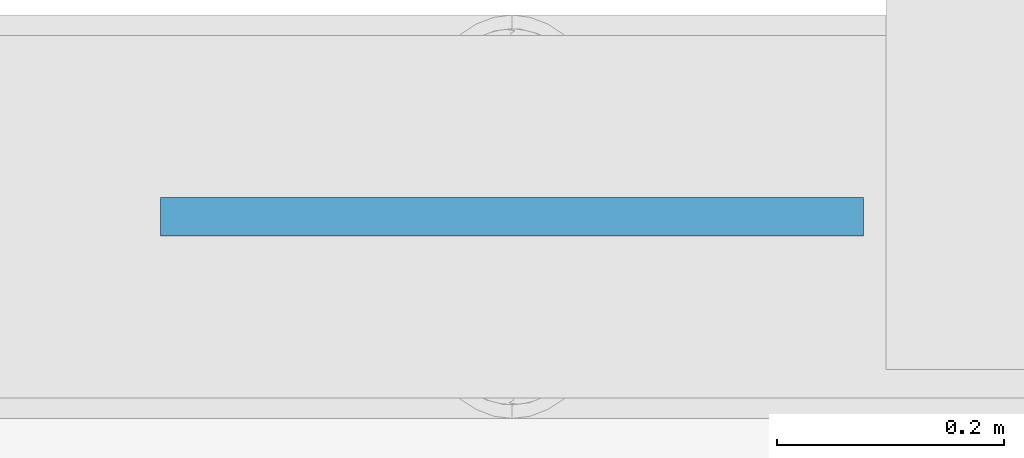
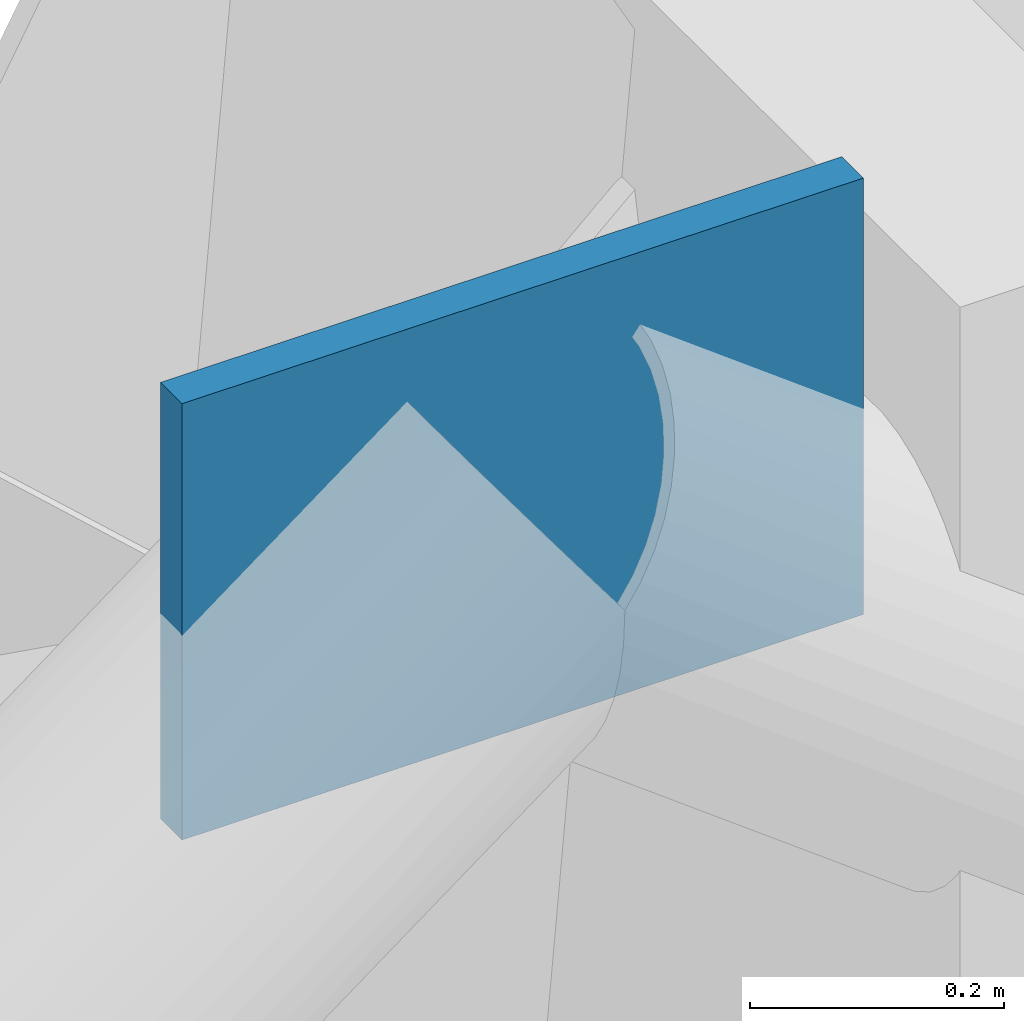
# One storey, part 38 of 83: 1 plate.
"""IFC4 building model written with IfcOpenShell, lengths in metres."""

from ifc_helpers import new_model, si_unit, derived_unit, direction, frame, origin, origin_2d, place, context, subcontext, project, spatial, rectangle, extrude, material, layer, layer_set, type_object, element, save


model = new_model("IFC4")

# Units and contexts
model_context = context("Model", 3, precision=1e-05, world=origin(), true_north=direction((0.0, 1.0)))
body_context = subcontext(model_context, "Body", "Model", "MODEL_VIEW")
ifc_project = project(units=[si_unit("LENGTHUNIT", "METRE"), si_unit("AREAUNIT", "SQUARE_METRE"), si_unit("VOLUMEUNIT", "CUBIC_METRE"), si_unit("PLANEANGLEUNIT", "RADIAN"), si_unit("MASSUNIT", "GRAM", prefix="KILO"), si_unit("THERMODYNAMICTEMPERATUREUNIT", "KELVIN"), derived_unit("THERMALTRANSMITTANCEUNIT", [(si_unit("POWERUNIT", "WATT"), 1), (si_unit("AREAUNIT", "SQUARE_METRE"), -1), (si_unit("THERMODYNAMICTEMPERATUREUNIT", "KELVIN"), -1)])], contexts=[model_context])

# Site, building, storey
site_placement = place(None, origin())
site = spatial("IfcSite", under=ifc_project, at=site_placement, CompositionType="ELEMENT")
building_placement = place(site_placement, origin())
building = spatial("IfcBuilding", under=site, at=building_placement, Name="Haiyu Intermodal Mobility Hub", CompositionType="ELEMENT")
storey_placement = place(building_placement, frame((0.0, 0.0, 13.39990234375)))
storey = spatial("IfcBuildingStorey", under=building, at=storey_placement, Name="L03", CompositionType="ELEMENT", Elevation=13.39990234375)

# Plate
ifc_material = material(Name="Steel Q355C", Category="steel")
ifc_layer = layer(ifc_material, 0.033935546875)
ifc_layer_set = layer_set([ifc_layer], Name="Steel Q355C")
plate_type = type_object("IfcPlateType", Name="PLT-GP04", PredefinedType="USERDEFINED", material=ifc_layer_set)
plate_placement = place(storey_placement, frame((142.0, 148.0, 2.7900390625), z_axis=(0.0, 0.0, 1.0), x_axis=(1.0, 0.0, 0.0)))
element("IfcPlate", 1, at=plate_placement, inside=storey, type_object=plate_type, Name="Chevron Brace Apex Gusset GP-B093", ObjectType="GUSSET PLATE", PredefinedType="USERDEFINED", context=body_context, shape_type="SweptSolid", body=[
    extrude(rectangle(XDim=0.6201171875, YDim=0.033935546875, at=origin_2d()), origin(), (0.0, 0.0, 1.0), 0.419921875),
])

save(model, "model.ifc")
